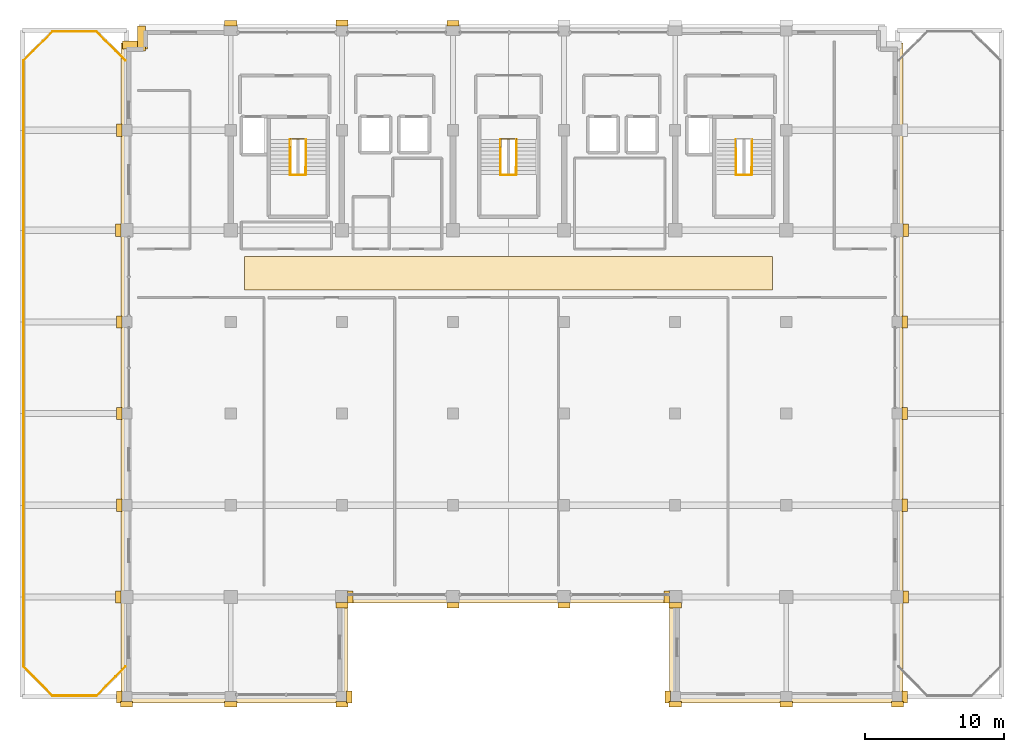
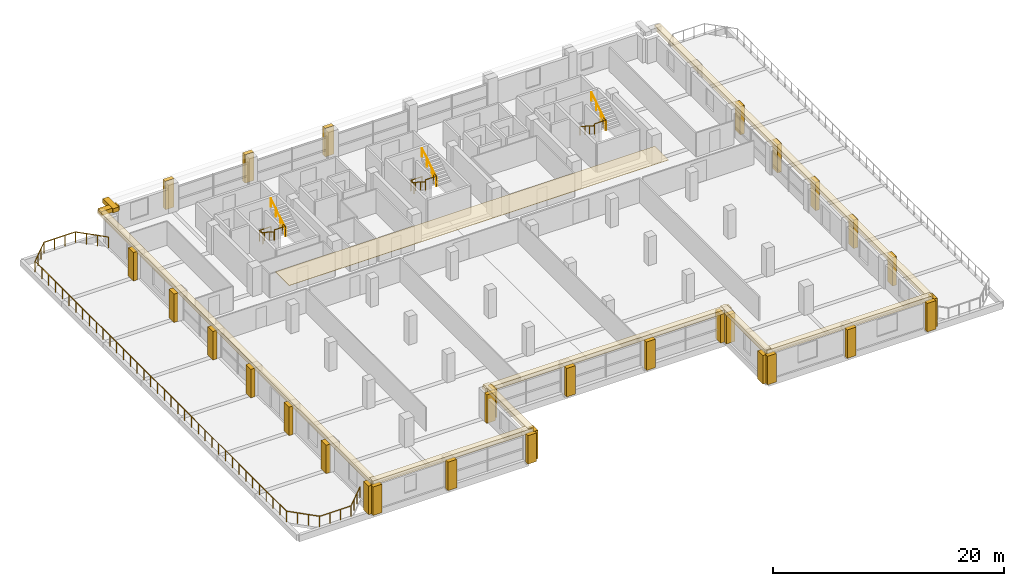
# One storey, part 21 of 22: 40 coverings, 18 railings.
"""IFC4 building model written with IfcOpenShell, lengths in metres."""

from ifc_helpers import new_model, si_unit, direction, frame, origin, origin_2d, place, context, subcontext, project, spatial, rectangle, circle, extrude, material, layer, layer_set, type_object, element, save


model = new_model("IFC4")

# Units and contexts
model_context = context("Model", 3, precision=1e-05, world=origin(), true_north=direction((0.0, 1.0)))
body_context = subcontext(model_context, "Body", "Model", "MODEL_VIEW")
ifc_project = project(units=[si_unit("LENGTHUNIT", "METRE"), si_unit("AREAUNIT", "SQUARE_METRE"), si_unit("VOLUMEUNIT", "CUBIC_METRE"), si_unit("PLANEANGLEUNIT", "RADIAN"), si_unit("MASSUNIT", "GRAM", prefix="KILO")], contexts=[model_context])

# Site, building, storey
site_placement = place(None, origin())
site = spatial("IfcSite", under=ifc_project, at=site_placement, CompositionType="ELEMENT")
building_placement = place(site_placement, origin())
building = spatial("IfcBuilding", under=site, at=building_placement, Name="Akrevak Sports Hall", CompositionType="ELEMENT")
storey_placement = place(building_placement, frame((0.0, 0.0, 40.550048828125)))
storey = spatial("IfcBuildingStorey", under=building, at=storey_placement, Name="L09", CompositionType="ELEMENT", Elevation=40.550048828125)

# Coverings
ifc_material_1 = material(Name="Perforated Acoustic Gypsum Board", Category="gypsum")
ifc_layer_1 = layer(ifc_material_1, 0.0400390625, Name="Perforated Acoustic Gypsum Board")
ifc_layer_set_1 = layer_set([ifc_layer_1], Name="Perforated Acoustic Gypsum Board")
covering_type_1 = type_object("IfcCoveringType", Name="ARC-COV-CLG-ACST", PredefinedType="CEILING", material=ifc_layer_set_1)
covering_1_placement = place(storey_placement, frame((80.0, 52.10009765625, 2.969970703125), z_axis=(0.0, 0.0, 1.0), x_axis=(1.0, 0.0, 0.0)))
element("IfcCovering", 1, at=covering_1_placement, inside=storey, type_object=covering_type_1, Name="Corridor Acoustic Ceiling L09", PredefinedType="CEILING", context=body_context, shape_type="SweptSolid", body=[
    extrude(rectangle(XDim=38.0, YDim=2.39990234375, at=origin_2d()), origin(), (0.0, 0.0, 1.0), 0.0400390625),
])
ifc_material_2 = material(Name="Limestone Ashlar", Category="stone")
ifc_layer_2 = layer(ifc_material_2, 0.6201171875, Name="Limestone Ashlar")
ifc_layer_set_2 = layer_set([ifc_layer_2], Name="Limestone Ashlar")
covering_type_2 = type_object("IfcCoveringType", Name="ARC-COV-CRN-LIM", PredefinedType="MOLDING", material=ifc_layer_set_2)
covering_2_placement = place(storey_placement, frame((60.25, 21.469970703125, 2.949951171875), z_axis=(0.0, 0.0, 1.0), x_axis=(1.0, 0.0, 0.0)))
element("IfcCovering", 2, at=covering_2_placement, inside=storey, type_object=covering_type_2, Name="Mid-Tower Setback Stone Cornice L09-SET-01", PredefinedType="MOLDING", context=body_context, shape_type="SweptSolid", body=[
    extrude(rectangle(XDim=16.087890625, YDim=0.580078125, at=origin_2d()), origin(), (0.0, 0.0, 1.0), 0.43994140625),
])
covering_3_placement = place(storey_placement, frame((68.1298828125, 25.199951171875, 2.949951171875), z_axis=(0.0, 0.0, 1.0), x_axis=(0.0, 1.0, 0.0)))
element("IfcCovering", 3, at=covering_3_placement, inside=storey, type_object=covering_type_2, Name="Mid-Tower Setback Stone Cornice L09-SET-02", PredefinedType="MOLDING", context=body_context, shape_type="SweptSolid", body=[
    extrude(rectangle(XDim=7.7880859375, YDim=0.580078125, at=origin_2d()), origin(), (0.0, 0.0, 1.0), 0.43994140625),
])
covering_4_placement = place(storey_placement, frame((80.0, 28.669921875, 2.949951171875), z_axis=(0.0, 0.0, 1.0), x_axis=(1.0, 0.0, 0.0)))
element("IfcCovering", 4, at=covering_4_placement, inside=storey, type_object=covering_type_2, Name="Mid-Tower Setback Stone Cornice L09-SET-03", PredefinedType="MOLDING", context=body_context, shape_type="SweptSolid", body=[
    extrude(rectangle(XDim=24.587890625, YDim=0.580078125, at=origin_2d()), origin(), (0.0, 0.0, 1.0), 0.43994140625),
])
covering_5_placement = place(storey_placement, frame((91.8701171875, 25.199951171875, 2.949951171875), z_axis=(0.0, 0.0, 1.0), x_axis=(0.0, -1.0, 0.0)))
element("IfcCovering", 5, at=covering_5_placement, inside=storey, type_object=covering_type_2, Name="Mid-Tower Setback Stone Cornice L09-SET-04", PredefinedType="MOLDING", context=body_context, shape_type="SweptSolid", body=[
    extrude(rectangle(XDim=7.7880859375, YDim=0.580078125, at=origin_2d()), origin(), (0.0, 0.0, 1.0), 0.43994140625),
])
covering_6_placement = place(storey_placement, frame((100.0, 21.469970703125, 2.949951171875), z_axis=(0.0, 0.0, 1.0), x_axis=(1.0, 0.0, 0.0)))
element("IfcCovering", 6, at=covering_6_placement, inside=storey, type_object=covering_type_2, Name="Mid-Tower Setback Stone Cornice L09-SET-05", PredefinedType="MOLDING", context=body_context, shape_type="SweptSolid", body=[
    extrude(rectangle(XDim=16.587890625, YDim=0.580078125, at=origin_2d()), origin(), (0.0, 0.0, 1.0), 0.43994140625),
])
covering_7_placement = place(storey_placement, frame((108.1298828125, 45.0, 2.949951171875), z_axis=(0.0, 0.0, 1.0), x_axis=(0.0, 1.0, 0.0)))
element("IfcCovering", 7, at=covering_7_placement, inside=storey, type_object=covering_type_2, Name="Mid-Tower Setback Stone Cornice L09-SET-06", PredefinedType="MOLDING", context=body_context, shape_type="SweptSolid", body=[
    extrude(rectangle(XDim=47.387939453125, YDim=0.580078125, at=origin_2d()), origin(), (0.0, 0.0, 1.0), 0.43994140625),
])
for number, where, z_axis, x_axis, name in (
    (8, (53.570068359375, 69.0, 2.949951171875), (0.0, 0.0, 1.0), (0.0, -1.0, 0.0), "Mid-Tower Setback Stone Cornice L09-SET-10"),
    (9, (53.10009765625, 68.530029296875, 2.949951171875), (0.0, 0.0, 1.0), (-1.0, 0.0, 0.0), "Mid-Tower Setback Stone Cornice L09-SET-11"),
):
    element("IfcCovering", number, at=place(storey_placement, frame(where, z_axis=z_axis, x_axis=x_axis)), inside=storey, type_object=covering_type_2, Name=name, PredefinedType="MOLDING", context=body_context, shape_type="SweptSolid", body=[
        extrude(rectangle(XDim=1.7880859375, YDim=0.580078125, at=origin_2d()), origin(), (0.0, 0.0, 1.0), 0.43994140625),
    ])
covering_8_placement = place(storey_placement, frame((52.3701171875, 45.0, 2.949951171875), z_axis=(0.0, 0.0, 1.0), x_axis=(0.0, -1.0, 0.0)))
element("IfcCovering", 10, at=covering_8_placement, inside=storey, type_object=covering_type_2, Name="Mid-Tower Setback Stone Cornice L09-SET-12", PredefinedType="MOLDING", context=body_context, shape_type="SweptSolid", body=[
    extrude(rectangle(XDim=47.387939453125, YDim=0.580078125, at=origin_2d()), origin(), (0.0, 0.0, 1.0), 0.43994140625),
])
ifc_layer_3 = layer(ifc_material_2, 0.47998046875, Name="Limestone Ashlar")
ifc_layer_set_3 = layer_set([ifc_layer_3], Name="Limestone Ashlar")
covering_type_3 = type_object("IfcCoveringType", Name="ARC-COV-PIL-LIM", PredefinedType="CLADDING", material=ifc_layer_set_3)
for number, where, z_axis, x_axis, name in (
    (11, (52.5, 21.070068359375, 0.0), (0.0, 0.0, 1.0), (1.0, 0.0, 0.0), "Giant-Order Limestone Pilaster L09-01-01"),
    (12, (60.0, 21.070068359375, 0.0), (0.0, 0.0, 1.0), (1.0, 0.0, 0.0), "Giant-Order Limestone Pilaster L09-01-02"),
    (13, (68.0, 21.070068359375, 0.0), (0.0, 0.0, 1.0), (1.0, 0.0, 0.0), "Giant-Order Limestone Pilaster L09-01-03"),
    (14, (68.530029296875, 21.60009765625, 0.0), (0.0, 0.0, 1.0), (0.0, 1.0, 0.0), "Giant-Order Limestone Pilaster L09-02-03"),
    (15, (68.60498046875, 28.800048828125, 0.0), (0.0, 0.0, 1.0), (0.0, 1.0, 0.0), "Giant-Order Limestone Pilaster L09-02-04"),
    (16, (68.0, 28.195068359375, 0.0), (0.0, 0.0, 1.0), (1.0, 0.0, 0.0), "Giant-Order Limestone Pilaster L09-03-04"),
    (17, (76.0, 28.195068359375, 0.0), (0.0, 0.0, 1.0), (1.0, 0.0, 0.0), "Giant-Order Limestone Pilaster L09-03-05"),
    (18, (84.0, 28.195068359375, 0.0), (0.0, 0.0, 1.0), (1.0, 0.0, 0.0), "Giant-Order Limestone Pilaster L09-03-06"),
    (19, (92.0, 28.195068359375, 0.0), (0.0, 0.0, 1.0), (1.0, 0.0, 0.0), "Giant-Order Limestone Pilaster L09-03-07"),
    (20, (91.469970703125, 21.60009765625, 0.0), (0.0, 0.0, 1.0), (0.0, -1.0, 0.0), "Giant-Order Limestone Pilaster L09-04-08"),
    (21, (91.39501953125, 28.800048828125, 0.0), (0.0, 0.0, 1.0), (0.0, -1.0, 0.0), "Giant-Order Limestone Pilaster L09-04-08"),
    (22, (92.0, 21.070068359375, 0.0), (0.0, 0.0, 1.0), (1.0, 0.0, 0.0), "Giant-Order Limestone Pilaster L09-05-08"),
    (23, (100.0, 21.070068359375, 0.0), (0.0, 0.0, 1.0), (1.0, 0.0, 0.0), "Giant-Order Limestone Pilaster L09-05-09"),
    (24, (108.0, 21.070068359375, 0.0), (0.0, 0.0, 1.0), (1.0, 0.0, 0.0), "Giant-Order Limestone Pilaster L09-05-10"),
    (25, (108.530029296875, 21.60009765625, 0.0), (0.0, 0.0, 1.0), (0.0, 1.0, 0.0), "Giant-Order Limestone Pilaster L09-06-10"),
    (26, (108.60498046875, 28.800048828125, 0.0), (0.0, 0.0, 1.0), (0.0, 1.0, 0.0), "Giant-Order Limestone Pilaster L09-06-11"),
    (27, (108.530029296875, 35.39990234375, 0.0), (0.0, 0.0, 1.0), (0.0, 1.0, 0.0), "Giant-Order Limestone Pilaster L09-06-12"),
    (28, (108.530029296875, 42.0, 0.0), (0.0, 0.0, 1.0), (0.0, 1.0, 0.0), "Giant-Order Limestone Pilaster L09-06-13"),
    (29, (108.530029296875, 48.60009765625, 0.0), (0.0, 0.0, 1.0), (0.0, 1.0, 0.0), "Giant-Order Limestone Pilaster L09-06-14"),
    (30, (108.60498046875, 55.199951171875, 0.0), (0.0, 0.0, 1.0), (0.0, 1.0, 0.0), "Giant-Order Limestone Pilaster L09-06-15"),
    (31, (60.0, 70.10498046875, 0.0), (0.0, 0.0, 1.0), (-1.0, 0.0, 0.0), "Giant-Order Limestone Pilaster L09-09-17"),
    (32, (68.0, 70.1298828125, 0.0), (0.0, 0.0, 1.0), (-1.0, 0.0, 0.0), "Giant-Order Limestone Pilaster L09-09-18"),
    (33, (76.0, 70.10498046875, 0.0), (0.0, 0.0, 1.0), (-1.0, 0.0, 0.0), "Giant-Order Limestone Pilaster L09-09-19"),
    (34, (51.969970703125, 21.60009765625, 0.0), (0.0, 0.0, 1.0), (0.0, -1.0, 0.0), "Giant-Order Limestone Pilaster L09-12-22"),
    (35, (51.89501953125, 28.800048828125, 0.0), (0.0, 0.0, 1.0), (0.0, -1.0, 0.0), "Giant-Order Limestone Pilaster L09-12-23"),
    (36, (51.969970703125, 35.39990234375, 0.0), (0.0, 0.0, 1.0), (0.0, -1.0, 0.0), "Giant-Order Limestone Pilaster L09-12-24"),
    (37, (51.969970703125, 42.0, 0.0), (0.0, 0.0, 1.0), (0.0, -1.0, 0.0), "Giant-Order Limestone Pilaster L09-12-25"),
    (38, (51.969970703125, 48.60009765625, 0.0), (0.0, 0.0, 1.0), (0.0, -1.0, 0.0), "Giant-Order Limestone Pilaster L09-12-26"),
    (39, (51.89501953125, 55.199951171875, 0.0), (0.0, 0.0, 1.0), (0.0, -1.0, 0.0), "Giant-Order Limestone Pilaster L09-12-27"),
    (40, (51.969970703125, 62.39990234375, 0.0), (0.0, 0.0, 1.0), (0.0, -1.0, 0.0), "Giant-Order Limestone Pilaster L09-12-28"),
):
    element("IfcCovering", number, at=place(storey_placement, frame(where, z_axis=z_axis, x_axis=x_axis)), inside=storey, type_object=covering_type_3, Name=name, PredefinedType="CLADDING", context=body_context, shape_type="SweptSolid", body=[
        extrude(rectangle(XDim=0.8798828125, YDim=0.419921875, at=origin_2d()), origin(), (0.0, 0.0, 1.0), 3.010009765625),
    ])

# Railings
ifc_material_3 = material(Name="Limestone Ashlar & Bronze Cap", Category="stone")
ifc_layer_4 = layer(ifc_material_3, 0.1201171875, Name="Limestone Ashlar & Bronze Cap")
ifc_layer_set_4 = layer_set([ifc_layer_4], Name="Limestone Ashlar & Bronze Cap")
railing_type_1 = type_object("IfcRailingType", Name="ARC-RL-BAL-1150", PredefinedType="BALUSTRADE", material=ifc_layer_set_4)
railing_1_placement = place(storey_placement, frame((47.179931640625, 21.679931640625, 0.0)))
element("IfcRailing", 41, at=railing_1_placement, inside=storey, type_object=railing_type_1, Name="Terrace Perimeter Balustrade L09-1.1", PredefinedType="BALUSTRADE", context=body_context, shape_type="SweptSolid", body=[
    extrude(circle(Radius=0.02392578125, at=origin_2d()), frame((0.0, 0.0, 1.1259765625), z_axis=(1.0, 0.0, 0.0), x_axis=(0.0, 1.0, 0.0)), (0.0, 0.0, 1.0), 3.14013671875),
    extrude(circle(Radius=0.02099609375, at=origin_2d()), origin(), (0.0, 0.0, 1.0), 1.101806640625),
    extrude(circle(Radius=0.02099609375, at=origin_2d()), frame((1.046630859375, 0.0, 0.0)), (0.0, 0.0, 1.0), 1.101806640625),
    extrude(circle(Radius=0.02099609375, at=origin_2d()), frame((2.093505859375, 0.0, 0.0)), (0.0, 0.0, 1.0), 1.101806640625),
    extrude(circle(Radius=0.02099609375, at=origin_2d()), frame((3.14013671875, 0.0, 0.0)), (0.0, 0.0, 1.0), 1.101806640625),
])
railing_2_placement = place(storey_placement, frame((50.320068359375, 21.679931640625, 0.0)))
element("IfcRailing", 42, at=railing_2_placement, inside=storey, type_object=railing_type_1, Name="Terrace Perimeter Balustrade L09-1.2", PredefinedType="BALUSTRADE", context=body_context, shape_type="SweptSolid", body=[
    extrude(circle(Radius=0.02392578125, at=origin_2d()), frame((0.0, 0.0, 1.1259765625), z_axis=(0.707065676302, 0.707147883682, 0.0), x_axis=(-0.707147883682, 0.707065676302, 0.0)), (0.0, 0.0, 1.0), 2.9697265625),
    extrude(circle(Radius=0.02099609375, at=origin_2d()), origin(), (0.0, 0.0, 1.0), 1.101806640625),
    extrude(circle(Radius=0.02099609375, at=origin_2d()), frame((0.699951171875, 0.699951171875, 0.0)), (0.0, 0.0, 1.0), 1.101806640625),
    extrude(circle(Radius=0.02099609375, at=origin_2d()), frame((1.39990234375, 1.400146484375, 0.0)), (0.0, 0.0, 1.0), 1.101806640625),
    extrude(circle(Radius=0.02099609375, at=origin_2d()), frame((2.099853515625, 2.10009765625, 0.0)), (0.0, 0.0, 1.0), 1.101806640625),
])
railing_3_placement = place(storey_placement, frame((52.419921875, 67.419921875, 0.0)))
element("IfcRailing", 43, at=railing_3_placement, inside=storey, type_object=railing_type_1, Name="Terrace Perimeter Balustrade L09-1.4", PredefinedType="BALUSTRADE", context=body_context, shape_type="SweptSolid", body=[
    extrude(circle(Radius=0.02392578125, at=origin_2d()), frame((0.0, 0.0, 1.1259765625), z_axis=(-0.707065676302, 0.707147883682, 0.0), x_axis=(-0.707147883682, -0.707065676302, 0.0)), (0.0, 0.0, 1.0), 2.9697265625),
    extrude(circle(Radius=0.02099609375, at=origin_2d()), origin(), (0.0, 0.0, 1.0), 1.101806640625),
    extrude(circle(Radius=0.02099609375, at=origin_2d()), frame((-0.699951171875, 0.699951171875, 0.0)), (0.0, 0.0, 1.0), 1.101806640625),
    extrude(circle(Radius=0.02099609375, at=origin_2d()), frame((-1.39990234375, 1.400146484375, 0.0)), (0.0, 0.0, 1.0), 1.101806640625),
    extrude(circle(Radius=0.02099609375, at=origin_2d()), frame((-2.099853515625, 2.10009765625, 0.0)), (0.0, 0.0, 1.0), 1.101806640625),
])
railing_4_placement = place(storey_placement, frame((50.320068359375, 69.52001953125, 0.0)))
element("IfcRailing", 44, at=railing_4_placement, inside=storey, type_object=railing_type_1, Name="Terrace Perimeter Balustrade L09-1.5", PredefinedType="BALUSTRADE", context=body_context, shape_type="SweptSolid", body=[
    extrude(circle(Radius=0.02392578125, at=origin_2d()), frame((0.0, 0.0, 1.1259765625), z_axis=(-1.0, 0.0, 0.0), x_axis=(0.0, -1.0, 0.0)), (0.0, 0.0, 1.0), 3.14013671875),
    extrude(circle(Radius=0.02099609375, at=origin_2d()), origin(), (0.0, 0.0, 1.0), 1.101806640625),
    extrude(circle(Radius=0.02099609375, at=origin_2d()), frame((-1.046630859375, 0.0, 0.0)), (0.0, 0.0, 1.0), 1.101806640625),
    extrude(circle(Radius=0.02099609375, at=origin_2d()), frame((-2.093505859375, 0.0, 0.0)), (0.0, 0.0, 1.0), 1.101806640625),
    extrude(circle(Radius=0.02099609375, at=origin_2d()), frame((-3.14013671875, 0.0, 0.0)), (0.0, 0.0, 1.0), 1.101806640625),
])
railing_5_placement = place(storey_placement, frame((47.179931640625, 69.52001953125, 0.0)))
element("IfcRailing", 45, at=railing_5_placement, inside=storey, type_object=railing_type_1, Name="Terrace Perimeter Balustrade L09-1.6", PredefinedType="BALUSTRADE", context=body_context, shape_type="SweptSolid", body=[
    extrude(circle(Radius=0.02392578125, at=origin_2d()), frame((0.0, 0.0, 1.1259765625), z_axis=(-0.707065676302, -0.707147883682, 0.0), x_axis=(0.707147883682, -0.707065676302, 0.0)), (0.0, 0.0, 1.0), 2.9697265625),
    extrude(circle(Radius=0.02099609375, at=origin_2d()), origin(), (0.0, 0.0, 1.0), 1.101806640625),
    extrude(circle(Radius=0.02099609375, at=origin_2d()), frame((-0.699951171875, -0.699951171875, 0.0)), (0.0, 0.0, 1.0), 1.101806640625),
    extrude(circle(Radius=0.02099609375, at=origin_2d()), frame((-1.39990234375, -1.400146484375, 0.0)), (0.0, 0.0, 1.0), 1.101806640625),
    extrude(circle(Radius=0.02099609375, at=origin_2d()), frame((-2.099853515625, -2.10009765625, 0.0)), (0.0, 0.0, 1.0), 1.101806640625),
])
railing_6_placement = place(storey_placement, frame((45.080078125, 67.419921875, 0.0)))
element("IfcRailing", 46, at=railing_6_placement, inside=storey, type_object=railing_type_1, Name="Terrace Perimeter Balustrade L09-1.7", PredefinedType="BALUSTRADE", context=body_context, shape_type="SweptSolid", body=[
    extrude(circle(Radius=0.02392578125, at=origin_2d()), frame((0.0, 0.0, 1.1259765625), z_axis=(0.0, -1.0, 0.0), x_axis=(1.0, 0.0, 0.0)), (0.0, 0.0, 1.0), 43.639892578125),
    extrude(circle(Radius=0.02099609375, at=origin_2d()), origin(), (0.0, 0.0, 1.0), 1.101806640625),
    extrude(circle(Radius=0.02099609375, at=origin_2d()), frame((0.0, -1.179443359375, 0.0)), (0.0, 0.0, 1.0), 1.101806640625),
    extrude(circle(Radius=0.02099609375, at=origin_2d()), frame((0.0, -2.35888671875, 0.0)), (0.0, 0.0, 1.0), 1.101806640625),
    extrude(circle(Radius=0.02099609375, at=origin_2d()), frame((0.0, -3.538330078125, 0.0)), (0.0, 0.0, 1.0), 1.101806640625),
    extrude(circle(Radius=0.02099609375, at=origin_2d()), frame((0.0, -4.7177734375, 0.0)), (0.0, 0.0, 1.0), 1.101806640625),
    extrude(circle(Radius=0.02099609375, at=origin_2d()), frame((0.0, -5.897216796875, 0.0)), (0.0, 0.0, 1.0), 1.101806640625),
    extrude(circle(Radius=0.02099609375, at=origin_2d()), frame((0.0, -7.07666015625, 0.0)), (0.0, 0.0, 1.0), 1.101806640625),
    extrude(circle(Radius=0.02099609375, at=origin_2d()), frame((0.0, -8.256103515625, 0.0)), (0.0, 0.0, 1.0), 1.101806640625),
    extrude(circle(Radius=0.02099609375, at=origin_2d()), frame((0.0, -9.435546875, 0.0)), (0.0, 0.0, 1.0), 1.101806640625),
    extrude(circle(Radius=0.02099609375, at=origin_2d()), frame((0.0, -10.614990234375, 0.0)), (0.0, 0.0, 1.0), 1.101806640625),
    extrude(circle(Radius=0.02099609375, at=origin_2d()), frame((0.0, -11.794677734375, 0.0)), (0.0, 0.0, 1.0), 1.101806640625),
    extrude(circle(Radius=0.02099609375, at=origin_2d()), frame((0.0, -12.97412109375, 0.0)), (0.0, 0.0, 1.0), 1.101806640625),
    extrude(circle(Radius=0.02099609375, at=origin_2d()), frame((0.0, -14.153564453125, 0.0)), (0.0, 0.0, 1.0), 1.101806640625),
    extrude(circle(Radius=0.02099609375, at=origin_2d()), frame((0.0, -15.3330078125, 0.0)), (0.0, 0.0, 1.0), 1.101806640625),
    extrude(circle(Radius=0.02099609375, at=origin_2d()), frame((0.0, -16.512451171875, 0.0)), (0.0, 0.0, 1.0), 1.101806640625),
    extrude(circle(Radius=0.02099609375, at=origin_2d()), frame((0.0, -17.69189453125, 0.0)), (0.0, 0.0, 1.0), 1.101806640625),
    extrude(circle(Radius=0.02099609375, at=origin_2d()), frame((0.0, -18.871337890625, 0.0)), (0.0, 0.0, 1.0), 1.101806640625),
    extrude(circle(Radius=0.02099609375, at=origin_2d()), frame((0.0, -20.05078125, 0.0)), (0.0, 0.0, 1.0), 1.101806640625),
    extrude(circle(Radius=0.02099609375, at=origin_2d()), frame((0.0, -21.230224609375, 0.0)), (0.0, 0.0, 1.0), 1.101806640625),
    extrude(circle(Radius=0.02099609375, at=origin_2d()), frame((0.0, -22.40966796875, 0.0)), (0.0, 0.0, 1.0), 1.101806640625),
    extrude(circle(Radius=0.02099609375, at=origin_2d()), frame((0.0, -23.589111328125, 0.0)), (0.0, 0.0, 1.0), 1.101806640625),
    extrude(circle(Radius=0.02099609375, at=origin_2d()), frame((0.0, -24.7685546875, 0.0)), (0.0, 0.0, 1.0), 1.101806640625),
    extrude(circle(Radius=0.02099609375, at=origin_2d()), frame((0.0, -25.947998046875, 0.0)), (0.0, 0.0, 1.0), 1.101806640625),
    extrude(circle(Radius=0.02099609375, at=origin_2d()), frame((0.0, -27.12744140625, 0.0)), (0.0, 0.0, 1.0), 1.101806640625),
    extrude(circle(Radius=0.02099609375, at=origin_2d()), frame((0.0, -28.306884765625, 0.0)), (0.0, 0.0, 1.0), 1.101806640625),
    extrude(circle(Radius=0.02099609375, at=origin_2d()), frame((0.0, -29.486328125, 0.0)), (0.0, 0.0, 1.0), 1.101806640625),
    extrude(circle(Radius=0.02099609375, at=origin_2d()), frame((0.0, -30.665771484375, 0.0)), (0.0, 0.0, 1.0), 1.101806640625),
    extrude(circle(Radius=0.02099609375, at=origin_2d()), frame((0.0, -31.84521484375, 0.0)), (0.0, 0.0, 1.0), 1.101806640625),
    extrude(circle(Radius=0.02099609375, at=origin_2d()), frame((0.0, -33.02490234375, 0.0)), (0.0, 0.0, 1.0), 1.101806640625),
    extrude(circle(Radius=0.02099609375, at=origin_2d()), frame((0.0, -34.204345703125, 0.0)), (0.0, 0.0, 1.0), 1.101806640625),
    extrude(circle(Radius=0.02099609375, at=origin_2d()), frame((0.0, -35.3837890625, 0.0)), (0.0, 0.0, 1.0), 1.101806640625),
    extrude(circle(Radius=0.02099609375, at=origin_2d()), frame((0.0, -36.563232421875, 0.0)), (0.0, 0.0, 1.0), 1.101806640625),
    extrude(circle(Radius=0.02099609375, at=origin_2d()), frame((0.0, -37.74267578125, 0.0)), (0.0, 0.0, 1.0), 1.101806640625),
    extrude(circle(Radius=0.02099609375, at=origin_2d()), frame((0.0, -38.922119140625, 0.0)), (0.0, 0.0, 1.0), 1.101806640625),
    extrude(circle(Radius=0.02099609375, at=origin_2d()), frame((0.0, -40.1015625, 0.0)), (0.0, 0.0, 1.0), 1.101806640625),
    extrude(circle(Radius=0.02099609375, at=origin_2d()), frame((0.0, -41.281005859375, 0.0)), (0.0, 0.0, 1.0), 1.101806640625),
    extrude(circle(Radius=0.02099609375, at=origin_2d()), frame((0.0, -42.46044921875, 0.0)), (0.0, 0.0, 1.0), 1.101806640625),
    extrude(circle(Radius=0.02099609375, at=origin_2d()), frame((0.0, -43.639892578125, 0.0)), (0.0, 0.0, 1.0), 1.101806640625),
])
railing_7_placement = place(storey_placement, frame((45.080078125, 23.780029296875, 0.0)))
element("IfcRailing", 47, at=railing_7_placement, inside=storey, type_object=railing_type_1, Name="Terrace Perimeter Balustrade L09-1.8", PredefinedType="BALUSTRADE", context=body_context, shape_type="SweptSolid", body=[
    extrude(circle(Radius=0.02392578125, at=origin_2d()), frame((0.0, 0.0, 1.1259765625), z_axis=(0.707065676302, -0.707147883682, 0.0), x_axis=(0.707147883682, 0.707065676302, 0.0)), (0.0, 0.0, 1.0), 2.9697265625),
    extrude(circle(Radius=0.02099609375, at=origin_2d()), origin(), (0.0, 0.0, 1.0), 1.101806640625),
    extrude(circle(Radius=0.02099609375, at=origin_2d()), frame((0.699951171875, -0.699951171875, 0.0)), (0.0, 0.0, 1.0), 1.101806640625),
    extrude(circle(Radius=0.02099609375, at=origin_2d()), frame((1.39990234375, -1.400146484375, 0.0)), (0.0, 0.0, 1.0), 1.101806640625),
    extrude(circle(Radius=0.02099609375, at=origin_2d()), frame((2.099853515625, -2.10009765625, 0.0)), (0.0, 0.0, 1.0), 1.101806640625),
])
ifc_material_4 = material(Name="Painted Architectural Balustrade Steel", Category="steel")
ifc_layer_5 = layer(ifc_material_4, 0.06005859375, Name="Painted Architectural Balustrade Steel")
ifc_layer_set_5 = layer_set([ifc_layer_5], Name="Painted Architectural Balustrade Steel")
railing_type_2 = type_object("IfcRailingType", Name="ARC-RL-GRD-1120", PredefinedType="GUARDRAIL", material=ifc_layer_set_5)
railing_8_placement = place(storey_placement, frame((64.31005859375, 61.215087890625, 0.0)))
element("IfcRailing", 48, at=railing_8_placement, inside=storey, type_object=railing_type_2, Name="Stair Floor Landing Well Guard ST1 (L09)", PredefinedType="GUARDRAIL", context=body_context, shape_type="SweptSolid", body=[
    extrude(circle(Radius=0.02392578125, at=origin_2d()), frame((0.0, 0.0, 1.09619140625), z_axis=(0.0, 1.0, 0.0), x_axis=(-1.0, 0.0, 0.0)), (0.0, 0.0, 1.0), 0.5498046875),
    extrude(circle(Radius=0.02392578125, at=origin_2d()), frame((0.0, 0.5498046875, 1.09619140625), z_axis=(1.0, 0.0, 0.0), x_axis=(0.0, 1.0, 0.0)), (0.0, 0.0, 1.0), 1.10986328125),
    extrude(circle(Radius=0.02099609375, at=origin_2d()), origin(), (0.0, 0.0, 1.0), 1.072021484375),
    extrude(circle(Radius=0.02099609375, at=origin_2d()), frame((0.0, 0.5498046875, 0.0)), (0.0, 0.0, 1.0), 1.072021484375),
    extrude(circle(Radius=0.02099609375, at=origin_2d()), frame((1.10986328125, 0.5498046875, 0.0)), (0.0, 0.0, 1.0), 1.072021484375),
])
railing_9_placement = place(storey_placement, frame((64.280029296875, 59.18505859375, 1.625)))
element("IfcRailing", 49, at=railing_9_placement, inside=storey, type_object=railing_type_2, Name="Stair Landing Well Guard ST1-L09-1", PredefinedType="GUARDRAIL", context=body_context, shape_type="SweptSolid", body=[
    extrude(circle(Radius=0.02392578125, at=origin_2d()), frame((0.0, 0.0, 1.09619140625), z_axis=(1.0, 0.0, 0.0), x_axis=(0.0, 1.0, 0.0)), (0.0, 0.0, 1.0), 1.10986328125),
    extrude(circle(Radius=0.02392578125, at=origin_2d()), frame((1.10986328125, 0.0, 1.09619140625), z_axis=(0.0, 1.0, 0.0), x_axis=(-1.0, 0.0, 0.0)), (0.0, 0.0, 1.0), 0.52001953125),
    extrude(circle(Radius=0.02099609375, at=origin_2d()), origin(), (0.0, 0.0, 1.0), 1.072021484375),
    extrude(circle(Radius=0.02099609375, at=origin_2d()), frame((1.10986328125, 0.0, 0.0)), (0.0, 0.0, 1.0), 1.072021484375),
    extrude(circle(Radius=0.02099609375, at=origin_2d()), frame((1.10986328125, 0.52001953125, 0.0)), (0.0, 0.0, 1.0), 1.072021484375),
])
railing_10_placement = place(storey_placement, frame((96.3798828125, 59.18505859375, 1.625)))
element("IfcRailing", 50, at=railing_10_placement, inside=storey, type_object=railing_type_2, Name="Stair Landing Well Guard ST2-L09-1", PredefinedType="GUARDRAIL", context=body_context, shape_type="SweptSolid", body=[
    extrude(circle(Radius=0.02392578125, at=origin_2d()), frame((0.0, 0.0, 1.09619140625), z_axis=(1.0, 0.0, 0.0), x_axis=(0.0, 1.0, 0.0)), (0.0, 0.0, 1.0), 1.110107421875),
    extrude(circle(Radius=0.02392578125, at=origin_2d()), frame((1.110107421875, 0.0, 1.09619140625), z_axis=(0.0, 1.0, 0.0), x_axis=(-1.0, 0.0, 0.0)), (0.0, 0.0, 1.0), 0.52001953125),
    extrude(circle(Radius=0.02099609375, at=origin_2d()), origin(), (0.0, 0.0, 1.0), 1.072021484375),
    extrude(circle(Radius=0.02099609375, at=origin_2d()), frame((1.110107421875, 0.0, 0.0)), (0.0, 0.0, 1.0), 1.072021484375),
    extrude(circle(Radius=0.02099609375, at=origin_2d()), frame((1.110107421875, 0.52001953125, 0.0)), (0.0, 0.0, 1.0), 1.072021484375),
])
railing_11_placement = place(storey_placement, frame((79.4599609375, 61.215087890625, 0.0)))
element("IfcRailing", 51, at=railing_11_placement, inside=storey, type_object=railing_type_2, Name="Stair Floor Landing Well Guard ST3 (L09)", PredefinedType="GUARDRAIL", context=body_context, shape_type="SweptSolid", body=[
    extrude(circle(Radius=0.02392578125, at=origin_2d()), frame((0.0, 0.0, 1.09619140625), z_axis=(0.0, 1.0, 0.0), x_axis=(-1.0, 0.0, 0.0)), (0.0, 0.0, 1.0), 0.5498046875),
    extrude(circle(Radius=0.02392578125, at=origin_2d()), frame((0.0, 0.5498046875, 1.09619140625), z_axis=(1.0, 0.0, 0.0), x_axis=(0.0, 1.0, 0.0)), (0.0, 0.0, 1.0), 1.110107421875),
    extrude(circle(Radius=0.02099609375, at=origin_2d()), origin(), (0.0, 0.0, 1.0), 1.072021484375),
    extrude(circle(Radius=0.02099609375, at=origin_2d()), frame((0.0, 0.5498046875, 0.0)), (0.0, 0.0, 1.0), 1.072021484375),
    extrude(circle(Radius=0.02099609375, at=origin_2d()), frame((1.110107421875, 0.5498046875, 0.0)), (0.0, 0.0, 1.0), 1.072021484375),
])
railing_12_placement = place(storey_placement, frame((79.429931640625, 59.18505859375, 1.625)))
element("IfcRailing", 52, at=railing_12_placement, inside=storey, type_object=railing_type_2, Name="Stair Landing Well Guard ST3-L09-1", PredefinedType="GUARDRAIL", context=body_context, shape_type="SweptSolid", body=[
    extrude(circle(Radius=0.02392578125, at=origin_2d()), frame((0.0, 0.0, 1.09619140625), z_axis=(1.0, 0.0, 0.0), x_axis=(0.0, 1.0, 0.0)), (0.0, 0.0, 1.0), 1.110107421875),
    extrude(circle(Radius=0.02392578125, at=origin_2d()), frame((1.110107421875, 0.0, 1.09619140625), z_axis=(0.0, 1.0, 0.0), x_axis=(-1.0, 0.0, 0.0)), (0.0, 0.0, 1.0), 0.52001953125),
    extrude(circle(Radius=0.02099609375, at=origin_2d()), origin(), (0.0, 0.0, 1.0), 1.072021484375),
    extrude(circle(Radius=0.02099609375, at=origin_2d()), frame((1.110107421875, 0.0, 0.0)), (0.0, 0.0, 1.0), 1.072021484375),
    extrude(circle(Radius=0.02099609375, at=origin_2d()), frame((1.110107421875, 0.52001953125, 0.0)), (0.0, 0.0, 1.0), 1.072021484375),
])
ifc_material_5 = material(Name="Brushed Stainless Steel 304", Category="steel")
ifc_layer_6 = layer(ifc_material_5, 0.050048828125, Name="Brushed Stainless Steel 304")
ifc_layer_set_6 = layer_set([ifc_layer_6], Name="Brushed Stainless Steel 304")
railing_type_3 = type_object("IfcRailingType", Name="ARC-RL-HND-900", PredefinedType="HANDRAIL", material=ifc_layer_set_6)
railing_13_placement = place(storey_placement, frame((64.280029296875, 61.735107421875, 0.0)))
element("IfcRailing", 53, at=railing_13_placement, inside=storey, type_object=railing_type_3, Name="Stair Handrail ST1-L09-F1", PredefinedType="HANDRAIL", context=body_context, shape_type="SweptSolid", body=[
    extrude(circle(Radius=0.02392578125, at=origin_2d()), frame((0.0, 0.0, 0.8759765625), z_axis=(0.0, -0.840421059866, 0.541933983188), x_axis=(1.0, 0.0, 0.0)), (0.0, 0.0, 1.0), 2.99853515625),
    extrude(circle(Radius=0.02099609375, at=origin_2d()), origin(), (0.0, 0.0, 1.0), 0.851806640625),
    extrude(circle(Radius=0.02099609375, at=origin_2d()), frame((0.0, -0.840087890625, 0.541748046875)), (0.0, 0.0, 1.0), 0.851806640625),
    extrude(circle(Radius=0.02099609375, at=origin_2d()), frame((0.0, -1.679931640625, 1.083251953125)), (0.0, 0.0, 1.0), 0.851806640625),
    extrude(circle(Radius=0.02099609375, at=origin_2d()), frame((0.0, -2.52001953125, 1.625)), (0.0, 0.0, 1.0), 0.851806640625),
])
railing_14_placement = place(storey_placement, frame((65.419921875, 59.215087890625, 1.625)))
element("IfcRailing", 54, at=railing_14_placement, inside=storey, type_object=railing_type_3, Name="Stair Handrail ST1-L09-F2", PredefinedType="HANDRAIL", context=body_context, shape_type="SweptSolid", body=[
    extrude(circle(Radius=0.02392578125, at=origin_2d()), frame((0.0, 0.0, 0.8759765625), z_axis=(0.0, 0.840421059866, 0.541933983188), x_axis=(-1.0, 0.0, 0.0)), (0.0, 0.0, 1.0), 2.99853515625),
    extrude(circle(Radius=0.02099609375, at=origin_2d()), origin(), (0.0, 0.0, 1.0), 0.851806640625),
    extrude(circle(Radius=0.02099609375, at=origin_2d()), frame((0.0, 0.840087890625, 0.541748046875)), (0.0, 0.0, 1.0), 0.851806640625),
    extrude(circle(Radius=0.02099609375, at=origin_2d()), frame((0.0, 1.679931640625, 1.083251953125)), (0.0, 0.0, 1.0), 0.851806640625),
    extrude(circle(Radius=0.02099609375, at=origin_2d()), frame((0.0, 2.52001953125, 1.625)), (0.0, 0.0, 1.0), 0.851806640625),
])
railing_15_placement = place(storey_placement, frame((96.3798828125, 61.735107421875, 0.0)))
element("IfcRailing", 55, at=railing_15_placement, inside=storey, type_object=railing_type_3, Name="Stair Handrail ST2-L09-F1", PredefinedType="HANDRAIL", context=body_context, shape_type="SweptSolid", body=[
    extrude(circle(Radius=0.02392578125, at=origin_2d()), frame((0.0, 0.0, 0.8759765625), z_axis=(0.0, -0.840421059866, 0.541933983188), x_axis=(1.0, 0.0, 0.0)), (0.0, 0.0, 1.0), 2.99853515625),
    extrude(circle(Radius=0.02099609375, at=origin_2d()), origin(), (0.0, 0.0, 1.0), 0.851806640625),
    extrude(circle(Radius=0.02099609375, at=origin_2d()), frame((0.0, -0.840087890625, 0.541748046875)), (0.0, 0.0, 1.0), 0.851806640625),
    extrude(circle(Radius=0.02099609375, at=origin_2d()), frame((0.0, -1.679931640625, 1.083251953125)), (0.0, 0.0, 1.0), 0.851806640625),
    extrude(circle(Radius=0.02099609375, at=origin_2d()), frame((0.0, -2.52001953125, 1.625)), (0.0, 0.0, 1.0), 0.851806640625),
])
railing_16_placement = place(storey_placement, frame((97.52001953125, 59.215087890625, 1.625)))
element("IfcRailing", 56, at=railing_16_placement, inside=storey, type_object=railing_type_3, Name="Stair Handrail ST2-L09-F2", PredefinedType="HANDRAIL", context=body_context, shape_type="SweptSolid", body=[
    extrude(circle(Radius=0.02392578125, at=origin_2d()), frame((0.0, 0.0, 0.8759765625), z_axis=(0.0, 0.840421059866, 0.541933983188), x_axis=(-1.0, 0.0, 0.0)), (0.0, 0.0, 1.0), 2.99853515625),
    extrude(circle(Radius=0.02099609375, at=origin_2d()), origin(), (0.0, 0.0, 1.0), 0.851806640625),
    extrude(circle(Radius=0.02099609375, at=origin_2d()), frame((0.0, 0.840087890625, 0.541748046875)), (0.0, 0.0, 1.0), 0.851806640625),
    extrude(circle(Radius=0.02099609375, at=origin_2d()), frame((0.0, 1.679931640625, 1.083251953125)), (0.0, 0.0, 1.0), 0.851806640625),
    extrude(circle(Radius=0.02099609375, at=origin_2d()), frame((0.0, 2.52001953125, 1.625)), (0.0, 0.0, 1.0), 0.851806640625),
])
railing_17_placement = place(storey_placement, frame((79.429931640625, 61.735107421875, 0.0)))
element("IfcRailing", 57, at=railing_17_placement, inside=storey, type_object=railing_type_3, Name="Stair Handrail ST3-L09-F1", PredefinedType="HANDRAIL", context=body_context, shape_type="SweptSolid", body=[
    extrude(circle(Radius=0.02392578125, at=origin_2d()), frame((0.0, 0.0, 0.8759765625), z_axis=(0.0, -0.840421059866, 0.541933983188), x_axis=(1.0, 0.0, 0.0)), (0.0, 0.0, 1.0), 2.99853515625),
    extrude(circle(Radius=0.02099609375, at=origin_2d()), origin(), (0.0, 0.0, 1.0), 0.851806640625),
    extrude(circle(Radius=0.02099609375, at=origin_2d()), frame((0.0, -0.840087890625, 0.541748046875)), (0.0, 0.0, 1.0), 0.851806640625),
    extrude(circle(Radius=0.02099609375, at=origin_2d()), frame((0.0, -1.679931640625, 1.083251953125)), (0.0, 0.0, 1.0), 0.851806640625),
    extrude(circle(Radius=0.02099609375, at=origin_2d()), frame((0.0, -2.52001953125, 1.625)), (0.0, 0.0, 1.0), 0.851806640625),
])
railing_18_placement = place(storey_placement, frame((80.570068359375, 59.215087890625, 1.625)))
element("IfcRailing", 58, at=railing_18_placement, inside=storey, type_object=railing_type_3, Name="Stair Handrail ST3-L09-F2", PredefinedType="HANDRAIL", context=body_context, shape_type="SweptSolid", body=[
    extrude(circle(Radius=0.02392578125, at=origin_2d()), frame((0.0, 0.0, 0.8759765625), z_axis=(0.0, 0.840421059866, 0.541933983188), x_axis=(-1.0, 0.0, 0.0)), (0.0, 0.0, 1.0), 2.99853515625),
    extrude(circle(Radius=0.02099609375, at=origin_2d()), origin(), (0.0, 0.0, 1.0), 0.851806640625),
    extrude(circle(Radius=0.02099609375, at=origin_2d()), frame((0.0, 0.840087890625, 0.541748046875)), (0.0, 0.0, 1.0), 0.851806640625),
    extrude(circle(Radius=0.02099609375, at=origin_2d()), frame((0.0, 1.679931640625, 1.083251953125)), (0.0, 0.0, 1.0), 0.851806640625),
    extrude(circle(Radius=0.02099609375, at=origin_2d()), frame((0.0, 2.52001953125, 1.625)), (0.0, 0.0, 1.0), 0.851806640625),
])

save(model, "model.ifc")
